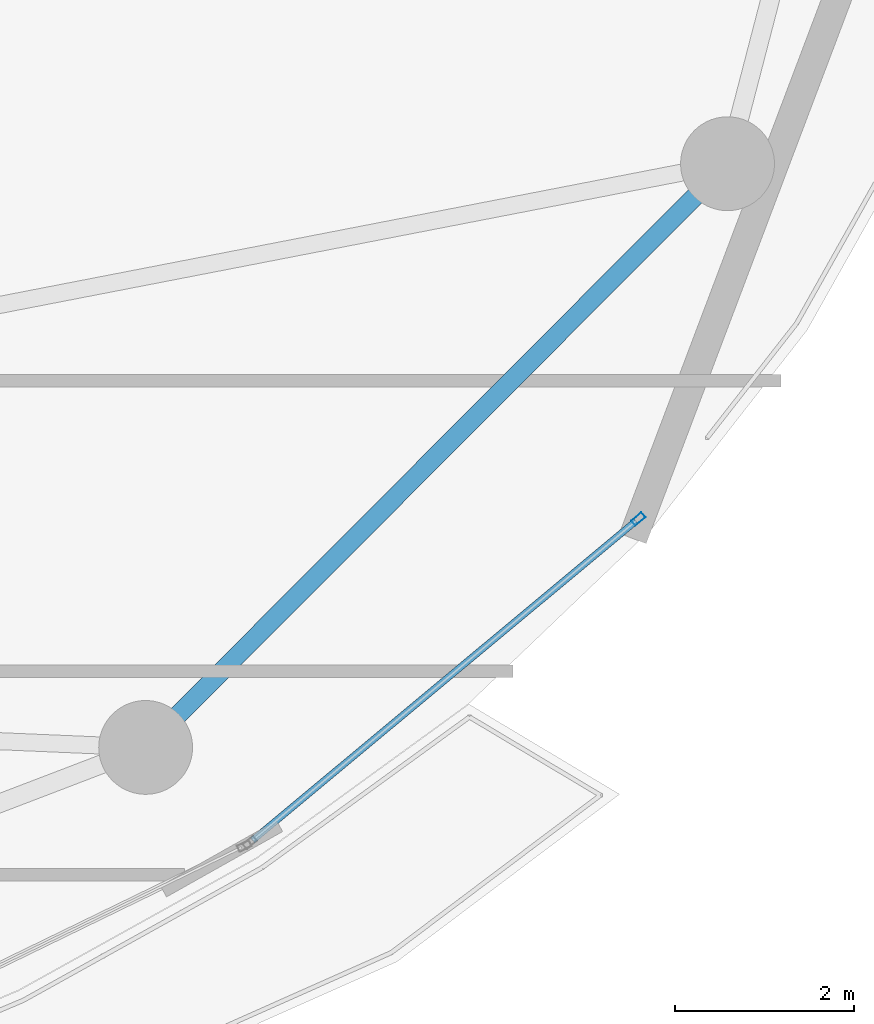
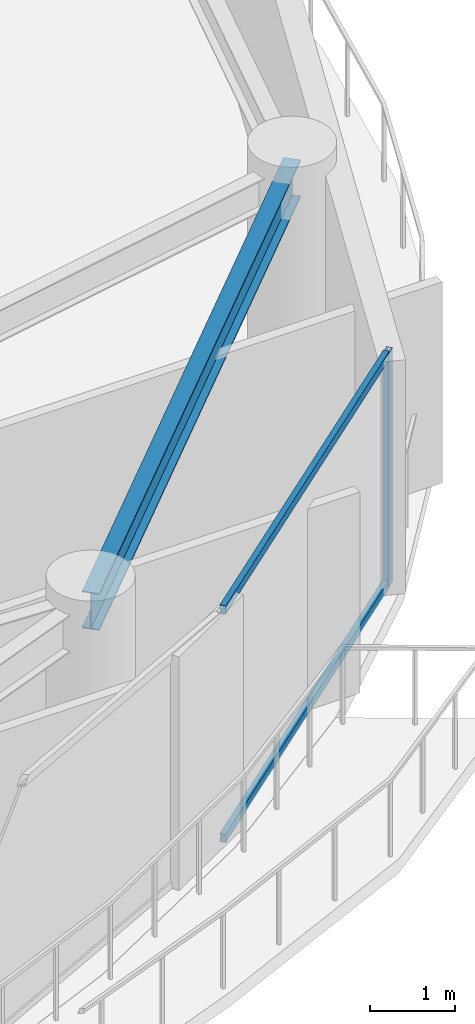
# One storey, part 14 of 31: 3 members, 1 beam, 1 element without a shape of its own.
"""IFC4 building model written with IfcOpenShell, lengths in metres."""

from ifc_helpers import new_model, si_unit, direction, frame, origin, origin_2d, place, context, subcontext, project, spatial, hollow_rectangle, i_section, extrude, material, layer, layer_set, material_profile, profile_set, type_object, element, aggregate, save


model = new_model("IFC4")

# Units and contexts
model_context = context("Model", 3, precision=1e-05, world=origin(), true_north=direction((0.0, 1.0)))
body_context = subcontext(model_context, "Body", "Model", "MODEL_VIEW")
ifc_project = project(units=[si_unit("LENGTHUNIT", "METRE"), si_unit("AREAUNIT", "SQUARE_METRE"), si_unit("VOLUMEUNIT", "CUBIC_METRE"), si_unit("PLANEANGLEUNIT", "RADIAN"), si_unit("MASSUNIT", "GRAM", prefix="KILO")], contexts=[model_context])

# Site, building, storey
site_placement = place(None, origin())
site = spatial("IfcSite", under=ifc_project, at=site_placement, CompositionType="ELEMENT")
building_placement = place(site_placement, origin())
building = spatial("IfcBuilding", under=site, at=building_placement, Name="Kazevale Care Tower and Concert Hall", CompositionType="ELEMENT")
storey_placement = place(building_placement, frame((0.0, 0.0, 217.199951171875)))
storey = spatial("IfcBuildingStorey", under=building, at=storey_placement, Name="L57", CompositionType="ELEMENT", Elevation=217.199951171875)

# Curtain wall, members
ifc_material_1 = material(Name="Aluminium 6063-T6 and Low-E Glass", Category="aluminium")
ifc_layer = layer(ifc_material_1, 0.179931640625)
ifc_layer_set = layer_set([ifc_layer], Name="Aluminium 6063-T6 and Low-E Glass")
curtain_wall_type = type_object("IfcCurtainWallType", Name="Sheltered Concave Balcony Curtain Wall CW-5", PredefinedType="NOTDEFINED", material=ifc_layer_set)
curtain_wall_placement = place(storey_placement, origin())
curtain_wall = element("IfcCurtainWall", 1, at=curtain_wall_placement, inside=storey, type_object=curtain_wall_type, Name="cw:L57:f02", PredefinedType="NOTDEFINED")
ifc_material_2 = material(Name="Aluminium 6063-T6", Category="aluminium")
ifc_material_profile_1 = material_profile(ifc_material_2, hollow_rectangle(XDim=0.074951171875, YDim=0.14990234375, WallThickness=0.00390625, at=origin_2d()), Name="ALU75x150x4")
ifc_profile_set_1 = profile_set([ifc_material_profile_1], Name="Aluminium 6063-T6")
member_type_1 = type_object("IfcMemberType", Name="CW-5 Mullion ALU75x150x4", PredefinedType="MULLION", material=ifc_profile_set_1)
member_1_placement = place(storey_placement, frame((71.76318359375, 25.2060546875, 0.0), z_axis=(0.0, 0.0, 1.0), x_axis=(0.639961217204, -0.768407210062, 0.0)))
member_1 = element("IfcMember", 2, at=member_1_placement, type_object=member_type_1, Name="CW-5 mullion 1", PredefinedType="MULLION", context=body_context, shape_type="SweptSolid", body=[
    extrude(hollow_rectangle(XDim=0.074951171875, YDim=0.14990234375, WallThickness=0.00390625, at=origin_2d()), origin(), (0.0, 0.0, 1.0), 3.360107421875),
])
ifc_material_profile_2 = material_profile(ifc_material_2, hollow_rectangle(XDim=0.074951171875, YDim=0.1201171875, WallThickness=0.00390625, at=origin_2d()), Name="ALU75x120x4")
ifc_profile_set_2 = profile_set([ifc_material_profile_2], Name="Aluminium 6063-T6")
member_type_2 = type_object("IfcMemberType", Name="CW-5 Transom ALU75x120x4", PredefinedType="USERDEFINED", material=ifc_profile_set_2)
member_2_placement = place(storey_placement, frame((71.734375, 25.181884765625, 0.03759765625), z_axis=(-0.768432829708, -0.639930454211, 0.0), x_axis=(0.639930454211, -0.768432829708, 0.0)))
member_2 = element("IfcMember", 3, at=member_2_placement, type_object=member_type_2, Name="CW-5 transom 1.1", ObjectType="TRANSOM", PredefinedType="USERDEFINED", context=body_context, shape_type="SweptSolid", body=[
    extrude(hollow_rectangle(XDim=0.074951171875, YDim=0.1201171875, WallThickness=0.00390625, at=origin_2d()), origin(), (0.0, 0.0, 1.0), 5.580078125),
])
member_3_placement = place(storey_placement, frame((71.734375, 25.181884765625, 3.322509765625), z_axis=(-0.768432829708, -0.639930454211, 0.0), x_axis=(0.639930454211, -0.768432829708, 0.0)))
member_3 = element("IfcMember", 4, at=member_3_placement, type_object=member_type_2, Name="CW-5 transom 1.2", ObjectType="TRANSOM", PredefinedType="USERDEFINED", context=body_context, shape_type="SweptSolid", body=[
    extrude(hollow_rectangle(XDim=0.074951171875, YDim=0.1201171875, WallThickness=0.00390625, at=origin_2d()), origin(), (0.0, 0.0, 1.0), 5.580078125),
])
aggregate(curtain_wall, [member_1, member_2, member_3])

# Beam
ifc_material_3 = material(Name="Steel ASTM A572 Gr 50", Category="steel")
ifc_material_profile_3 = material_profile(ifc_material_3, i_section(OverallWidth=0.208984375, OverallDepth=0.532958984375, WebThickness=0.01025390625, FlangeThickness=0.015625, at=origin_2d()), Name="W530x92")
ifc_profile_set_3 = profile_set([ifc_material_profile_3], Name="Steel ASTM A572 Gr 50")
beam_type = type_object("IfcBeamType", Name="Upper Ring Beam W530x92", PredefinedType="BEAM", material=ifc_profile_set_3)
beam_placement = place(storey_placement, frame((66.25, 22.64990234375, 3.093505859375), z_axis=(0.706020373708, 0.708191522054, 0.0), x_axis=(-0.708191522054, 0.706020373708, 0.0)))
element("IfcBeam", 5, at=beam_placement, inside=storey, type_object=beam_type, Name="beam:L57:ring:15", PredefinedType="BEAM", context=body_context, shape_type="SweptSolid", body=[
    extrude(i_section(OverallWidth=0.208984375, OverallDepth=0.532958984375, WebThickness=0.01025390625, FlangeThickness=0.015625, at=origin_2d()), origin(), (0.0, 0.0, 1.0), 9.220703125),
])

save(model, "model.ifc")
